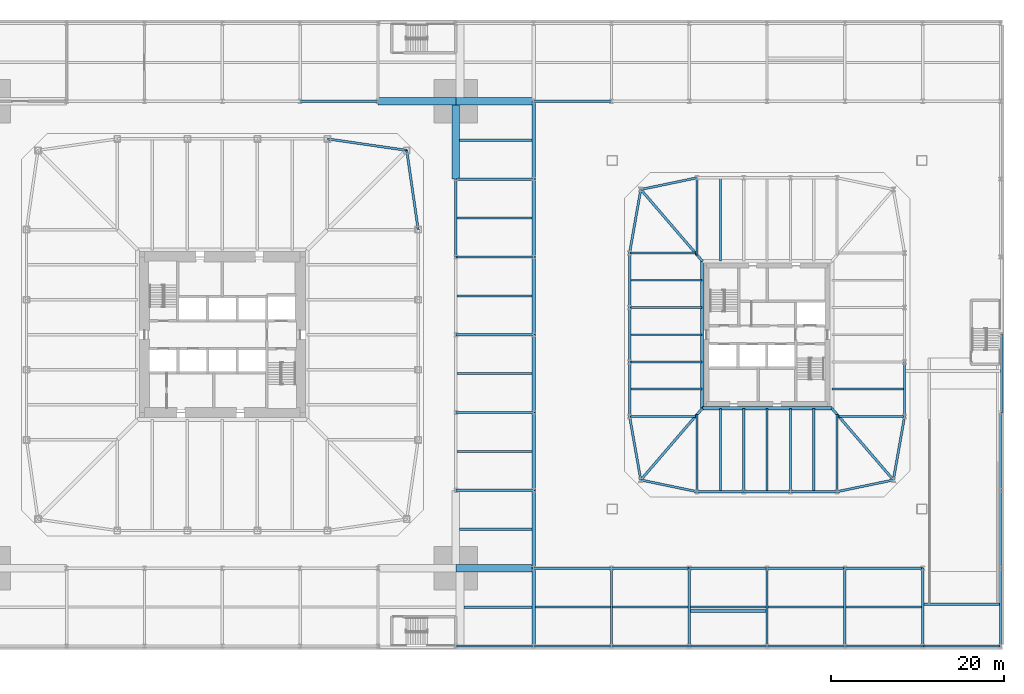
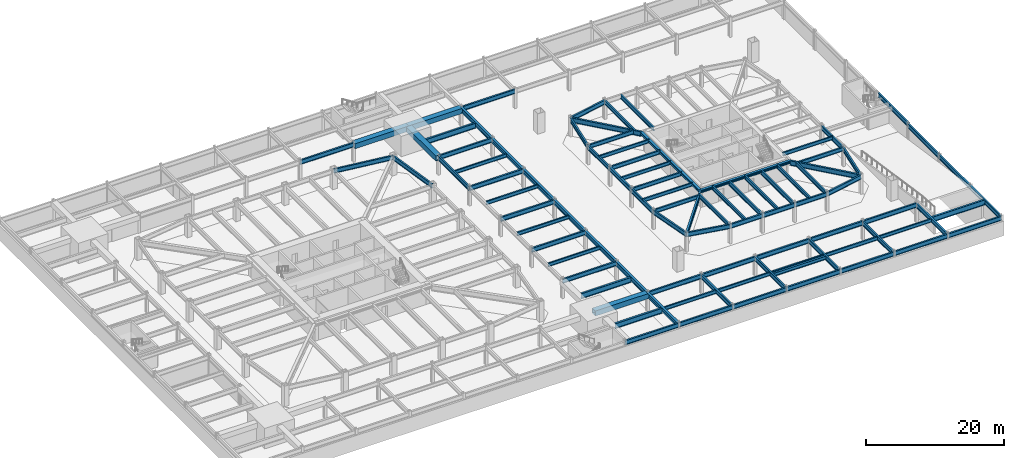
# One storey, part 7 of 17: 92 beams.
"""IFC4 building model written with IfcOpenShell, lengths in metres."""

from ifc_helpers import new_model, si_unit, direction, frame, origin, origin_2d, place, context, subcontext, project, spatial, hollow_rectangle, i_section, extrude, material, material_profile, profile_set, type_object, element, save


model = new_model("IFC4")

# Units and contexts
model_context = context("Model", 3, precision=1e-05, world=origin(), true_north=direction((0.0, 1.0)))
body_context = subcontext(model_context, "Body", "Model", "MODEL_VIEW")
ifc_project = project(units=[si_unit("LENGTHUNIT", "METRE"), si_unit("AREAUNIT", "SQUARE_METRE"), si_unit("VOLUMEUNIT", "CUBIC_METRE"), si_unit("PLANEANGLEUNIT", "RADIAN"), si_unit("MASSUNIT", "GRAM", prefix="KILO")], contexts=[model_context])

# Site, building, storey
site_placement = place(None, origin())
site = spatial("IfcSite", under=ifc_project, at=site_placement, CompositionType="ELEMENT")
building_placement = place(site_placement, origin())
building = spatial("IfcBuilding", under=site, at=building_placement, Name="Iwan Alto Co-Living Towers", CompositionType="ELEMENT")
storey_placement = place(building_placement, frame((0.0, 0.0, -3.60009765625)))
storey = spatial("IfcBuildingStorey", under=building, at=storey_placement, Name="B1", CompositionType="ELEMENT", Elevation=-3.60009765625)

# Beams
ifc_material_1 = material(Name="Steel ASTM A992 Gr 50", Category="steel")
ifc_material_profile_1 = material_profile(ifc_material_1, i_section(OverallWidth=0.2666015625, OverallDepth=0.76953125, WebThickness=0.015625, FlangeThickness=0.025390625, at=origin_2d()), Name="W30X132")
ifc_profile_set_1 = profile_set([ifc_material_profile_1], Name="Steel ASTM A992 Gr 50")
beam_type_1 = type_object("IfcBeamType", Name="PODIUM GROUND FLOOR BEAM W30X132", PredefinedType="BEAM", material=ifc_profile_set_1)
for number, where, z_axis, x_axis, name in (
    (1, (9.0, 27.0, 2.96533203125), (1.0, 0.0, 0.0), (0.0, 1.0, 0.0), "Podium beam 6/H-7/H L00"),
    (2, (27.0, -36.0, 2.96533203125), (1.0, 0.0, 0.0), (0.0, 1.0, 0.0), "Podium beam 8/A-9/A L00"),
    (3, (27.0, -18.0, 2.96533203125), (1.0, 0.0, 0.0), (0.0, 1.0, 0.0), "Podium beam 8/C-9/C L00"),
    (4, (27.0, -9.0, 2.96533203125), (1.0, 0.0, 0.0), (0.0, 1.0, 0.0), "Podium beam 8/D-9/D L00"),
    (5, (27.0, 0.0, 2.96533203125), (1.0, 0.0, 0.0), (0.0, 1.0, 0.0), "Podium beam 8/E-9/E L00"),
    (6, (27.0, 9.0, 2.96533203125), (1.0, 0.0, 0.0), (0.0, 1.0, 0.0), "Podium beam 8/F-9/F L00"),
    (7, (27.0, 9.0, 2.96533203125), (0.0, 1.0, 0.0), (-1.0, 0.0, 0.0), "Podium beam 8/F-8/G L00"),
    (8, (27.0, 18.0, 2.96533203125), (1.0, 0.0, 0.0), (0.0, 1.0, 0.0), "Podium beam 8/G-9/G L00"),
    (9, (36.0, -36.0, 2.96533203125), (1.0, 0.0, 0.0), (0.0, 1.0, 0.0), "Podium beam 9/A-10/A L00"),
    (10, (36.0, -27.0, 2.96533203125), (1.0, 0.0, 0.0), (0.0, 1.0, 0.0), "Podium beam 9/B-10/B L00"),
    (11, (36.0, 27.0, 2.96533203125), (1.0, 0.0, 0.0), (0.0, 1.0, 0.0), "Podium beam 9/H-10/H L00"),
    (12, (45.0, -36.0, 2.96533203125), (1.0, 0.0, 0.0), (0.0, 1.0, 0.0), "Podium beam 10/A-11/A L00"),
    (13, (45.0, -36.0, 2.96533203125), (0.0, 1.0, 0.0), (-1.0, 0.0, 0.0), "Podium beam 10/A-10/B L00"),
    (14, (45.0, -27.0, 2.96533203125), (1.0, 0.0, 0.0), (0.0, 1.0, 0.0), "Podium beam 10/B-11/B L00"),
    (15, (54.0, -36.0, 2.96533203125), (1.0, 0.0, 0.0), (0.0, 1.0, 0.0), "Podium beam 11/A-12/A L00"),
    (16, (54.0, -36.0, 2.96533203125), (0.0, 1.0, 0.0), (-1.0, 0.0, 0.0), "Podium beam 11/A-11/B L00"),
    (17, (54.0, -27.0, 2.96533203125), (1.0, 0.0, 0.0), (0.0, 1.0, 0.0), "Podium beam 11/B-12/B L00"),
    (18, (63.0, -36.0, 2.96533203125), (1.0, 0.0, 0.0), (0.0, 1.0, 0.0), "Podium beam 12/A-13/A L00"),
    (19, (63.0, -36.0, 2.96533203125), (0.0, 1.0, 0.0), (-1.0, 0.0, 0.0), "Podium beam 12/A-12/B L00"),
    (20, (63.0, -27.0, 2.96533203125), (1.0, 0.0, 0.0), (0.0, 1.0, 0.0), "Podium beam 12/B-13/B L00"),
    (21, (72.0, -36.0, 2.96533203125), (1.0, 0.0, 0.0), (0.0, 1.0, 0.0), "Podium beam 13/A-14/A L00"),
    (22, (72.0, -36.0, 2.96533203125), (0.0, 1.0, 0.0), (-1.0, 0.0, 0.0), "Podium beam 13/A-13/B L00"),
    (23, (72.0, -27.0, 2.96533203125), (1.0, 0.0, 0.0), (0.0, 1.0, 0.0), "Podium beam 13/B-14/B L00"),
    (24, (81.0, -36.0, 2.96533203125), (1.0, 0.0, 0.0), (0.0, 1.0, 0.0), "Podium beam 14/A-15/A L00"),
    (25, (81.0, -36.0, 2.96533203125), (0.0, 1.0, 0.0), (-1.0, 0.0, 0.0), "Podium beam 14/A-14/B L00"),
    (26, (90.0, -36.0, 2.96533203125), (0.0, 1.0, 0.0), (-1.0, 0.0, 0.0), "Podium beam 15/A-15/B L00"),
    (27, (90.0, -27.0, 2.96533203125), (0.0, 1.0, 0.0), (-1.0, 0.0, 0.0), "Podium beam 15/B-15/C L00"),
    (28, (90.0, -18.0, 2.96533203125), (0.0, 1.0, 0.0), (-1.0, 0.0, 0.0), "Podium beam 15/C-15/D L00"),
    (29, (90.1533203125, -9.0, 2.96533203125), (0.0, 1.0, 0.0), (-1.0, 0.0, 0.0), "Podium beam 15/D-15/E L00"),
):
    element("IfcBeam", number, at=place(storey_placement, frame(where, z_axis=z_axis, x_axis=x_axis)), inside=storey, type_object=beam_type_1, Name=name, PredefinedType="BEAM", context=body_context, shape_type="SweptSolid", body=[
        extrude(i_section(OverallWidth=0.2666015625, OverallDepth=0.76953125, WebThickness=0.015625, FlangeThickness=0.025390625, at=origin_2d()), origin(), (0.0, 0.0, 1.0), 9.0),
    ])
ifc_material_2 = material(Name="Steel ASTM A992 Gr 50", Category="steel")
ifc_material_profile_2 = material_profile(ifc_material_2, i_section(OverallWidth=0.381103515625, OverallDepth=0.772216796875, WebThickness=0.0166015625, FlangeThickness=0.027099609375, at=origin_2d()), Name="W30X173")
ifc_profile_set_2 = profile_set([ifc_material_profile_2], Name="Steel ASTM A992 Gr 50")
beam_type_2 = type_object("IfcBeamType", Name="PODIUM JOINT BEAM W30X173", PredefinedType="BEAM", material=ifc_profile_set_2)
for number, where, z_axis, x_axis, name in (
    (30, (36.0, -36.0, 2.964111328125), (0.0, 1.0, 0.0), (-1.0, 0.0, 0.0), "Podium beam 9/A-9/B L00"),
    (31, (36.0, -27.0, 2.964111328125), (0.0, 1.0, 0.0), (-1.0, 0.0, 0.0), "Podium beam 9/B-9/C L00"),
    (32, (36.0, -18.0, 2.964111328125), (0.0, 1.0, 0.0), (-1.0, 0.0, 0.0), "Podium beam 9/C-9/D L00"),
    (33, (36.0, -9.0, 2.964111328125), (0.0, 1.0, 0.0), (-1.0, 0.0, 0.0), "Podium beam 9/D-9/E L00"),
    (34, (36.0, 0.0, 2.964111328125), (0.0, 1.0, 0.0), (-1.0, 0.0, 0.0), "Podium beam 9/E-9/F L00"),
    (35, (36.0, 9.0, 2.964111328125), (0.0, 1.0, 0.0), (-1.0, 0.0, 0.0), "Podium beam 9/F-9/G L00"),
    (36, (36.0, 18.0, 2.964111328125), (0.0, 1.0, 0.0), (-1.0, 0.0, 0.0), "Podium beam 9/G-9/H L00"),
):
    element("IfcBeam", number, at=place(storey_placement, frame(where, z_axis=z_axis, x_axis=x_axis)), inside=storey, type_object=beam_type_2, Name=name, PredefinedType="BEAM", context=body_context, shape_type="SweptSolid", body=[
        extrude(i_section(OverallWidth=0.381103515625, OverallDepth=0.772216796875, WebThickness=0.0166015625, FlangeThickness=0.027099609375, at=origin_2d()), origin(), (0.0, 0.0, 1.0), 9.0),
    ])
ifc_material_3 = material(Name="Steel ASTM A992 Gr 50", Category="steel")
ifc_material_profile_3 = material_profile(ifc_material_3, i_section(OverallWidth=0.307373046875, OverallDepth=0.927001953125, WebThickness=0.01953125, FlangeThickness=0.031982421875, at=origin_2d()), Name="W36X194")
ifc_profile_set_3 = profile_set([ifc_material_profile_3], Name="Steel ASTM A992 Gr 50")
beam_type_3 = type_object("IfcBeamType", Name="PODIUM PIER BAY SECONDARY BEAM W36X194", PredefinedType="JOIST", material=ifc_profile_set_3)
beam_1_placement = place(storey_placement, frame((27.919921875, -31.5, 2.886474609375), z_axis=(1.0, 0.0, 0.0), x_axis=(0.0, 1.0, 0.0)))
element("IfcBeam", 37, at=beam_1_placement, inside=storey, type_object=beam_type_3, Name="Podium secondary beam 8/A L00", PredefinedType="JOIST", context=body_context, shape_type="SweptSolid", body=[
    extrude(i_section(OverallWidth=0.307373046875, OverallDepth=0.927001953125, WebThickness=0.01953125, FlangeThickness=0.031982421875, at=origin_2d()), origin(), (0.0, 0.0, 1.0), 7.8896484375),
])
for number, where, z_axis, x_axis, name in (
    (38, (27.449951171875, -22.5, 2.886474609375), (1.0, 0.0, 0.0), (0.0, 1.0, 0.0), "Podium secondary beam 8/B L00"),
    (39, (27.449951171875, 22.5, 2.886474609375), (1.0, 0.0, 0.0), (0.0, 1.0, 0.0), "Podium secondary beam 8/G L00"),
):
    element("IfcBeam", number, at=place(storey_placement, frame(where, z_axis=z_axis, x_axis=x_axis)), inside=storey, type_object=beam_type_3, Name=name, PredefinedType="JOIST", context=body_context, shape_type="SweptSolid", body=[
        extrude(i_section(OverallWidth=0.307373046875, OverallDepth=0.927001953125, WebThickness=0.01953125, FlangeThickness=0.031982421875, at=origin_2d()), origin(), (0.0, 0.0, 1.0), 8.359619140625),
    ])
ifc_material_4 = material(Name="Steel ASTM A572 Gr 50", Category="steel")
ifc_material_profile_4 = material_profile(ifc_material_4, hollow_rectangle(XDim=0.89990234375, YDim=0.89990234375, WallThickness=0.06005859375, at=origin_2d()), Name="BOX 900X900X60")
ifc_profile_set_4 = profile_set([ifc_material_profile_4], Name="Steel ASTM A572 Gr 50")
beam_type_4 = type_object("IfcBeamType", Name="PODIUM PIER BEAM BOX 900X900X60", PredefinedType="BEAM", material=ifc_profile_set_4)
for number, where, z_axis, x_axis, name in (
    (40, (18.0, 27.0, 2.900146484375), (1.0, 0.0, 0.0), (0.0, 1.0, 0.0), "Podium beam 7/H-8/H L00"),
    (41, (27.0, -27.0, 2.900146484375), (1.0, 0.0, 0.0), (0.0, 1.0, 0.0), "Podium beam 8/B-9/B L00"),
    (42, (27.0, 18.0, 2.900146484375), (0.0, 1.0, 0.0), (-1.0, 0.0, 0.0), "Podium beam 8/G-8/H L00"),
    (43, (27.0, 27.0, 2.900146484375), (1.0, 0.0, 0.0), (0.0, 1.0, 0.0), "Podium beam 8/H-9/H L00"),
):
    element("IfcBeam", number, at=place(storey_placement, frame(where, z_axis=z_axis, x_axis=x_axis)), inside=storey, type_object=beam_type_4, Name=name, PredefinedType="BEAM", context=body_context, shape_type="SweptSolid", body=[
        extrude(hollow_rectangle(XDim=0.89990234375, YDim=0.89990234375, WallThickness=0.06005859375, at=origin_2d()), origin(), (0.0, 0.0, 1.0), 9.0),
    ])
ifc_material_5 = material(Name="Steel ASTM A992 Gr 50", Category="steel")
ifc_material_profile_5 = material_profile(ifc_material_5, i_section(OverallWidth=0.307373046875, OverallDepth=0.927001953125, WebThickness=0.01953125, FlangeThickness=0.031982421875, at=origin_2d()), Name="W36X194")
ifc_profile_set_5 = profile_set([ifc_material_profile_5], Name="Steel ASTM A992 Gr 50")
beam_type_5 = type_object("IfcBeamType", Name="PODIUM RAMP HEADER BEAM W36X194", PredefinedType="BEAM", material=ifc_profile_set_5)
beam_2_placement = place(storey_placement, frame((81.0, -31.173583984375, 2.886474609375), z_axis=(1.0, 0.0, 0.0), x_axis=(0.0, 1.0, 0.0)))
element("IfcBeam", 44, at=beam_2_placement, inside=storey, type_object=beam_type_5, Name="Podium ramp header L00", PredefinedType="BEAM", context=body_context, shape_type="SweptSolid", body=[
    extrude(i_section(OverallWidth=0.307373046875, OverallDepth=0.927001953125, WebThickness=0.01953125, FlangeThickness=0.031982421875, at=origin_2d()), origin(), (0.0, 0.0, 1.0), 9.0),
])
ifc_material_6 = material(Name="Steel ASTM A992 Gr 50", Category="steel")
ifc_material_profile_6 = material_profile(ifc_material_6, i_section(OverallWidth=0.23046875, OverallDepth=0.6171875, WebThickness=0.01318359375, FlangeThickness=0.022216796875, at=origin_2d()), Name="W24X94")
ifc_profile_set_6 = profile_set([ifc_material_profile_6], Name="Steel ASTM A992 Gr 50")
beam_type_6 = type_object("IfcBeamType", Name="PODIUM SECONDARY BEAM W24X94", PredefinedType="JOIST", material=ifc_profile_set_6)
for number, where, z_axis, x_axis, name in (
    (45, (27.13330078125, -13.5, 3.04150390625), (1.0, 0.0, 0.0), (0.0, 1.0, 0.0), "Podium secondary beam 8/C L00"),
    (46, (27.13330078125, -4.5, 3.04150390625), (1.0, 0.0, 0.0), (0.0, 1.0, 0.0), "Podium secondary beam 8/D L00"),
    (47, (27.13330078125, 4.5, 3.04150390625), (1.0, 0.0, 0.0), (0.0, 1.0, 0.0), "Podium secondary beam 8/E L00"),
    (48, (27.13330078125, 13.5, 3.04150390625), (1.0, 0.0, 0.0), (0.0, 1.0, 0.0), "Podium secondary beam 8/F L00"),
    (49, (36.1904296875, -31.5, 3.04150390625), (1.0, 0.0, 0.0), (0.0, 1.0, 0.0), "Podium secondary beam 9/A L00"),
):
    element("IfcBeam", number, at=place(storey_placement, frame(where, z_axis=z_axis, x_axis=x_axis)), inside=storey, type_object=beam_type_6, Name=name, PredefinedType="JOIST", context=body_context, shape_type="SweptSolid", body=[
        extrude(i_section(OverallWidth=0.23046875, OverallDepth=0.6171875, WebThickness=0.01318359375, FlangeThickness=0.022216796875, at=origin_2d()), origin(), (0.0, 0.0, 1.0), 8.67626953125),
    ])
for number, where, z_axis, x_axis, name in (
    (50, (45.13330078125, -31.5, 3.04150390625), (1.0, 0.0, 0.0), (0.0, 1.0, 0.0), "Podium secondary beam 10/A L00"),
    (51, (54.13330078125, -31.5, 3.04150390625), (1.0, 0.0, 0.0), (0.0, 1.0, 0.0), "Podium secondary beam 11/A L00"),
    (52, (63.13330078125, -31.5, 3.04150390625), (1.0, 0.0, 0.0), (0.0, 1.0, 0.0), "Podium secondary beam 12/A L00"),
    (53, (72.13330078125, -31.5, 3.04150390625), (1.0, 0.0, 0.0), (0.0, 1.0, 0.0), "Podium secondary beam 13/A L00"),
):
    element("IfcBeam", number, at=place(storey_placement, frame(where, z_axis=z_axis, x_axis=x_axis)), inside=storey, type_object=beam_type_6, Name=name, PredefinedType="JOIST", context=body_context, shape_type="SweptSolid", body=[
        extrude(i_section(OverallWidth=0.23046875, OverallDepth=0.6171875, WebThickness=0.01318359375, FlangeThickness=0.022216796875, at=origin_2d()), origin(), (0.0, 0.0, 1.0), 8.7333984375),
    ])
ifc_material_7 = material(Name="Steel ASTM A992 Gr 50", Category="steel")
ifc_material_profile_7 = material_profile(ifc_material_7, i_section(OverallWidth=0.2666015625, OverallDepth=0.761962890625, WebThickness=0.014404296875, FlangeThickness=0.021484375, at=origin_2d()), Name="W30X116")
ifc_profile_set_7 = profile_set([ifc_material_profile_7], Name="Steel ASTM A992 Gr 50")
beam_type_7 = type_object("IfcBeamType", Name="T1 EDGE BEAM W30X116", PredefinedType="BEAM", material=ifc_profile_set_7)
for number, where, z_axis, x_axis, name in (
    (54, (22.64990234375, 12.14990234375, 2.968994140625), (-0.142836940589, 0.989746234347, 0.0), (-0.989746234347, -0.142836940589, 0.0), "T1 edge beam E4 L00"),
    (55, (21.32568359375, 21.32568359375, 2.968994140625), (-0.989746234347, 0.142836940589, 0.0), (-0.142836940589, -0.989746234347, 0.0), "T1 edge beam CNE L00"),
):
    element("IfcBeam", number, at=place(storey_placement, frame(where, z_axis=z_axis, x_axis=x_axis)), inside=storey, type_object=beam_type_7, Name=name, PredefinedType="BEAM", context=body_context, shape_type="SweptSolid", body=[
        extrude(i_section(OverallWidth=0.2666015625, OverallDepth=0.761962890625, WebThickness=0.014404296875, FlangeThickness=0.021484375, at=origin_2d()), origin(), (0.0, 0.0, 1.0), 9.270751953125),
    ])
ifc_material_8 = material(Name="Steel ASTM A992 Gr 50", Category="steel")
ifc_material_profile_8 = material_profile(ifc_material_8, i_section(OverallWidth=0.424072265625, OverallDepth=0.47509765625, WebThickness=0.0478515625, FlangeThickness=0.0771484375, at=origin_2d()), Name="W14X426")
ifc_profile_set_8 = profile_set([ifc_material_profile_8], Name="Steel ASTM A992 Gr 50")
beam_type_8 = type_object("IfcBeamType", Name="T2 CORE LEDGER BEAM W14X426", PredefinedType="BEAM", material=ifc_profile_set_8)
beam_3_placement = place(storey_placement, frame((55.517578125, -8.51220703125, 3.112548828125), z_axis=(1.0, 0.0, 0.0), x_axis=(0.0, 1.0, 0.0)))
element("IfcBeam", 56, at=beam_3_placement, inside=storey, type_object=beam_type_8, Name="T2 core ledger beam S L00", PredefinedType="BEAM", context=body_context, shape_type="SweptSolid", body=[
    extrude(i_section(OverallWidth=0.424072265625, OverallDepth=0.47509765625, WebThickness=0.0478515625, FlangeThickness=0.0771484375, at=origin_2d()), origin(), (0.0, 0.0, 1.0), 14.96484375),
])
beam_4_placement = place(storey_placement, frame((55.48779296875, 8.546630859375, 3.112548828125), z_axis=(0.0, -1.0, 0.0), x_axis=(1.0, 0.0, 0.0)))
element("IfcBeam", 57, at=beam_4_placement, inside=storey, type_object=beam_type_8, Name="T2 core ledger beam W L00", PredefinedType="BEAM", context=body_context, shape_type="SweptSolid", body=[
    extrude(i_section(OverallWidth=0.424072265625, OverallDepth=0.47509765625, WebThickness=0.0478515625, FlangeThickness=0.0771484375, at=origin_2d()), origin(), (0.0, 0.0, 1.0), 17.09326171875),
])
ifc_material_9 = material(Name="Steel ASTM A992 Gr 50", Category="steel")
ifc_material_profile_9 = material_profile(ifc_material_9, i_section(OverallWidth=0.2919921875, OverallDepth=0.8408203125, WebThickness=0.0146484375, FlangeThickness=0.021728515625, at=origin_2d()), Name="W33X130")
ifc_profile_set_9 = profile_set([ifc_material_profile_9], Name="Steel ASTM A992 Gr 50")
beam_type_9 = type_object("IfcBeamType", Name="T2 CORNER GIRDER W33X130", PredefinedType="BEAM", material=ifc_profile_set_9)
for number, where, z_axis, x_axis, name in (
    (58, (48.393798828125, -16.797119140625, 2.9296875), (0.651973760483, 0.758241528565, 0.0), (-0.758241528565, 0.651973760483, 0.0), "T2 corner girder CSW L00"),
    (59, (77.606201171875, -16.797119140625, 2.9296875), (-0.651973760483, 0.758241528565, 0.0), (-0.758241528565, -0.651973760483, 0.0), "T2 corner girder CSE L00"),
    (60, (48.393798828125, 16.797119140625, 2.9296875), (0.651973760483, -0.758241528565, 0.0), (0.758241528565, 0.651973760483, 0.0), "T2 corner girder CNW L00"),
):
    element("IfcBeam", number, at=place(storey_placement, frame(where, z_axis=z_axis, x_axis=x_axis)), inside=storey, type_object=beam_type_9, Name=name, PredefinedType="BEAM", context=body_context, shape_type="SweptSolid", body=[
        extrude(i_section(OverallWidth=0.2919921875, OverallDepth=0.8408203125, WebThickness=0.0146484375, FlangeThickness=0.021728515625, at=origin_2d()), origin(), (0.0, 0.0, 1.0), 10.926513671875),
    ])
ifc_material_10 = material(Name="Steel ASTM A992 Gr 50", Category="steel")
ifc_material_profile_10 = material_profile(ifc_material_10, i_section(OverallWidth=0.2666015625, OverallDepth=0.761962890625, WebThickness=0.014404296875, FlangeThickness=0.021484375, at=origin_2d()), Name="W30X116")
ifc_profile_set_10 = profile_set([ifc_material_profile_10], Name="Steel ASTM A992 Gr 50")
beam_type_10 = type_object("IfcBeamType", Name="T2 EDGE BEAM W30X116", PredefinedType="BEAM", material=ifc_profile_set_10)
beam_5_placement = place(storey_placement, frame((48.393798828125, -16.797119140625, 2.968994140625), z_axis=(0.979060119423, -0.203571320564, 0.0), x_axis=(0.203571320564, 0.979060119423, 0.0)))
element("IfcBeam", 61, at=beam_5_placement, inside=storey, type_object=beam_type_10, Name="T2 edge beam CSW L00", PredefinedType="BEAM", context=body_context, shape_type="SweptSolid", body=[
    extrude(i_section(OverallWidth=0.2666015625, OverallDepth=0.761962890625, WebThickness=0.014404296875, FlangeThickness=0.021484375, at=origin_2d()), origin(), (0.0, 0.0, 1.0), 6.645263671875),
])
beam_6_placement = place(storey_placement, frame((54.89990234375, -18.14990234375, 2.968994140625), z_axis=(1.0, 0.0, 0.0), x_axis=(0.0, 1.0, 0.0)))
element("IfcBeam", 62, at=beam_6_placement, inside=storey, type_object=beam_type_10, Name="T2 edge beam S1 L00", PredefinedType="BEAM", context=body_context, shape_type="SweptSolid", body=[
    extrude(i_section(OverallWidth=0.2666015625, OverallDepth=0.761962890625, WebThickness=0.014404296875, FlangeThickness=0.021484375, at=origin_2d()), origin(), (0.0, 0.0, 1.0), 5.400146484375),
])
beam_7_placement = place(storey_placement, frame((60.300048828125, -18.14990234375, 2.968994140625), z_axis=(1.0, 0.0, 0.0), x_axis=(0.0, 1.0, 0.0)))
element("IfcBeam", 63, at=beam_7_placement, inside=storey, type_object=beam_type_10, Name="T2 edge beam S2 L00", PredefinedType="BEAM", context=body_context, shape_type="SweptSolid", body=[
    extrude(i_section(OverallWidth=0.2666015625, OverallDepth=0.761962890625, WebThickness=0.014404296875, FlangeThickness=0.021484375, at=origin_2d()), origin(), (0.0, 0.0, 1.0), 5.39990234375),
])
beam_8_placement = place(storey_placement, frame((65.699951171875, -18.14990234375, 2.968994140625), z_axis=(1.0, 0.0, 0.0), x_axis=(0.0, 1.0, 0.0)))
element("IfcBeam", 64, at=beam_8_placement, inside=storey, type_object=beam_type_10, Name="T2 edge beam S3 L00", PredefinedType="BEAM", context=body_context, shape_type="SweptSolid", body=[
    extrude(i_section(OverallWidth=0.2666015625, OverallDepth=0.761962890625, WebThickness=0.014404296875, FlangeThickness=0.021484375, at=origin_2d()), origin(), (0.0, 0.0, 1.0), 5.400146484375),
])
beam_9_placement = place(storey_placement, frame((71.10009765625, -18.14990234375, 2.968994140625), z_axis=(0.979060119423, 0.203571320564, 0.0), x_axis=(-0.203571320564, 0.979060119423, 0.0)))
element("IfcBeam", 65, at=beam_9_placement, inside=storey, type_object=beam_type_10, Name="T2 edge beam S4 L00", PredefinedType="BEAM", context=body_context, shape_type="SweptSolid", body=[
    extrude(i_section(OverallWidth=0.2666015625, OverallDepth=0.761962890625, WebThickness=0.014404296875, FlangeThickness=0.021484375, at=origin_2d()), origin(), (0.0, 0.0, 1.0), 6.645263671875),
])
beam_10_placement = place(storey_placement, frame((77.606201171875, -16.797119140625, 2.968994140625), z_axis=(0.173413807283, 0.98484905008, 0.0), x_axis=(-0.98484905008, 0.173413807283, 0.0)))
element("IfcBeam", 66, at=beam_10_placement, inside=storey, type_object=beam_type_10, Name="T2 edge beam CSE L00", PredefinedType="BEAM", context=body_context, shape_type="SweptSolid", body=[
    extrude(i_section(OverallWidth=0.2666015625, OverallDepth=0.761962890625, WebThickness=0.014404296875, FlangeThickness=0.021484375, at=origin_2d()), origin(), (0.0, 0.0, 1.0), 7.460205078125),
])
beam_11_placement = place(storey_placement, frame((78.89990234375, -9.449951171875, 2.968994140625), z_axis=(0.0, 1.0, 0.0), x_axis=(-1.0, 0.0, 0.0)))
element("IfcBeam", 67, at=beam_11_placement, inside=storey, type_object=beam_type_10, Name="T2 edge beam E1 L00", PredefinedType="BEAM", context=body_context, shape_type="SweptSolid", body=[
    extrude(i_section(OverallWidth=0.2666015625, OverallDepth=0.761962890625, WebThickness=0.014404296875, FlangeThickness=0.021484375, at=origin_2d()), origin(), (0.0, 0.0, 1.0), 6.300048828125),
])
beam_12_placement = place(storey_placement, frame((54.89990234375, 18.14990234375, 2.968994140625), z_axis=(-0.979060119423, -0.203571320564, 0.0), x_axis=(0.203571320564, -0.979060119423, 0.0)))
element("IfcBeam", 68, at=beam_12_placement, inside=storey, type_object=beam_type_10, Name="T2 edge beam N4 L00", PredefinedType="BEAM", context=body_context, shape_type="SweptSolid", body=[
    extrude(i_section(OverallWidth=0.2666015625, OverallDepth=0.761962890625, WebThickness=0.014404296875, FlangeThickness=0.021484375, at=origin_2d()), origin(), (0.0, 0.0, 1.0), 6.645263671875),
])
beam_13_placement = place(storey_placement, frame((48.393798828125, 16.797119140625, 2.968994140625), z_axis=(-0.173413807283, -0.98484905008, 0.0), x_axis=(0.98484905008, -0.173413807283, 0.0)))
element("IfcBeam", 69, at=beam_13_placement, inside=storey, type_object=beam_type_10, Name="T2 edge beam CNW L00", PredefinedType="BEAM", context=body_context, shape_type="SweptSolid", body=[
    extrude(i_section(OverallWidth=0.2666015625, OverallDepth=0.761962890625, WebThickness=0.014404296875, FlangeThickness=0.021484375, at=origin_2d()), origin(), (0.0, 0.0, 1.0), 7.460205078125),
])
beam_14_placement = place(storey_placement, frame((47.10009765625, 9.449951171875, 2.968994140625), z_axis=(0.0, -1.0, 0.0), x_axis=(1.0, 0.0, 0.0)))
element("IfcBeam", 70, at=beam_14_placement, inside=storey, type_object=beam_type_10, Name="T2 edge beam W1 L00", PredefinedType="BEAM", context=body_context, shape_type="SweptSolid", body=[
    extrude(i_section(OverallWidth=0.2666015625, OverallDepth=0.761962890625, WebThickness=0.014404296875, FlangeThickness=0.021484375, at=origin_2d()), origin(), (0.0, 0.0, 1.0), 6.300048828125),
])
beam_15_placement = place(storey_placement, frame((47.10009765625, 3.14990234375, 2.968994140625), z_axis=(0.0, -1.0, 0.0), x_axis=(1.0, 0.0, 0.0)))
element("IfcBeam", 71, at=beam_15_placement, inside=storey, type_object=beam_type_10, Name="T2 edge beam W2 L00", PredefinedType="BEAM", context=body_context, shape_type="SweptSolid", body=[
    extrude(i_section(OverallWidth=0.2666015625, OverallDepth=0.761962890625, WebThickness=0.014404296875, FlangeThickness=0.021484375, at=origin_2d()), origin(), (0.0, 0.0, 1.0), 6.2998046875),
])
beam_16_placement = place(storey_placement, frame((47.10009765625, -3.14990234375, 2.968994140625), z_axis=(0.0, -1.0, 0.0), x_axis=(1.0, 0.0, 0.0)))
element("IfcBeam", 72, at=beam_16_placement, inside=storey, type_object=beam_type_10, Name="T2 edge beam W3 L00", PredefinedType="BEAM", context=body_context, shape_type="SweptSolid", body=[
    extrude(i_section(OverallWidth=0.2666015625, OverallDepth=0.761962890625, WebThickness=0.014404296875, FlangeThickness=0.021484375, at=origin_2d()), origin(), (0.0, 0.0, 1.0), 6.300048828125),
])
beam_17_placement = place(storey_placement, frame((47.10009765625, -9.449951171875, 2.968994140625), z_axis=(0.173413807283, -0.98484905008, 0.0), x_axis=(0.98484905008, 0.173413807283, 0.0)))
element("IfcBeam", 73, at=beam_17_placement, inside=storey, type_object=beam_type_10, Name="T2 edge beam W4 L00", PredefinedType="BEAM", context=body_context, shape_type="SweptSolid", body=[
    extrude(i_section(OverallWidth=0.2666015625, OverallDepth=0.761962890625, WebThickness=0.014404296875, FlangeThickness=0.021484375, at=origin_2d()), origin(), (0.0, 0.0, 1.0), 7.460205078125),
])
ifc_material_11 = material(Name="Steel ASTM A992 Gr 50", Category="steel")
ifc_material_profile_11 = material_profile(ifc_material_11, i_section(OverallWidth=0.25390625, OverallDepth=0.683349609375, WebThickness=0.012451171875, FlangeThickness=0.018798828125, at=origin_2d()), Name="W27X94")
ifc_profile_set_11 = profile_set([ifc_material_profile_11], Name="Steel ASTM A992 Gr 50")
beam_type_11 = type_object("IfcBeamType", Name="T2 RADIAL BEAM W27X94", PredefinedType="BEAM", material=ifc_profile_set_11)
for number, where, z_axis, x_axis, name in (
    (74, (54.89990234375, -18.14990234375, 3.008544921875), (0.0, 1.0, 0.0), (-1.0, 0.0, 0.0), "T2 radial beam S1 L00"),
    (75, (71.10009765625, -18.14990234375, 3.008544921875), (0.0, 1.0, 0.0), (-1.0, 0.0, 0.0), "T2 radial beam S4 L00"),
):
    element("IfcBeam", number, at=place(storey_placement, frame(where, z_axis=z_axis, x_axis=x_axis)), inside=storey, type_object=beam_type_11, Name=name, PredefinedType="BEAM", context=body_context, shape_type="SweptSolid", body=[
        extrude(i_section(OverallWidth=0.25390625, OverallDepth=0.683349609375, WebThickness=0.012451171875, FlangeThickness=0.018798828125, at=origin_2d()), origin(), (0.0, 0.0, 1.0), 8.91943359375),
    ])
beam_18_placement = place(storey_placement, frame((78.89990234375, -9.449951171875, 3.008544921875), z_axis=(-1.0, 0.0, 0.0), x_axis=(0.0, -1.0, 0.0)))
element("IfcBeam", 76, at=beam_18_placement, inside=storey, type_object=beam_type_11, Name="T2 radial beam E1 L00", PredefinedType="BEAM", context=body_context, shape_type="SweptSolid", body=[
    extrude(i_section(OverallWidth=0.25390625, OverallDepth=0.683349609375, WebThickness=0.012451171875, FlangeThickness=0.018798828125, at=origin_2d()), origin(), (0.0, 0.0, 1.0), 7.611083984375),
])
beam_19_placement = place(storey_placement, frame((54.89990234375, 18.14990234375, 3.008544921875), z_axis=(0.0, -1.0, 0.0), x_axis=(1.0, 0.0, 0.0)))
element("IfcBeam", 77, at=beam_19_placement, inside=storey, type_object=beam_type_11, Name="T2 radial beam N4 L00", PredefinedType="BEAM", context=body_context, shape_type="SweptSolid", body=[
    extrude(i_section(OverallWidth=0.25390625, OverallDepth=0.683349609375, WebThickness=0.012451171875, FlangeThickness=0.018798828125, at=origin_2d()), origin(), (0.0, 0.0, 1.0), 8.91943359375),
])
beam_20_placement = place(storey_placement, frame((47.10009765625, 9.449951171875, 3.008544921875), z_axis=(1.0, 0.0, 0.0), x_axis=(0.0, 1.0, 0.0)))
element("IfcBeam", 78, at=beam_20_placement, inside=storey, type_object=beam_type_11, Name="T2 radial beam W1 L00", PredefinedType="BEAM", context=body_context, shape_type="SweptSolid", body=[
    extrude(i_section(OverallWidth=0.25390625, OverallDepth=0.683349609375, WebThickness=0.012451171875, FlangeThickness=0.018798828125, at=origin_2d()), origin(), (0.0, 0.0, 1.0), 7.611083984375),
])
for number, where, z_axis, x_axis, name in (
    (79, (47.10009765625, 3.14990234375, 3.008544921875), (1.0, 0.0, 0.0), (0.0, 1.0, 0.0), "T2 radial beam W2 L00"),
    (80, (47.10009765625, -3.14990234375, 3.008544921875), (1.0, 0.0, 0.0), (0.0, 1.0, 0.0), "T2 radial beam W3 L00"),
):
    element("IfcBeam", number, at=place(storey_placement, frame(where, z_axis=z_axis, x_axis=x_axis)), inside=storey, type_object=beam_type_11, Name=name, PredefinedType="BEAM", context=body_context, shape_type="SweptSolid", body=[
        extrude(i_section(OverallWidth=0.25390625, OverallDepth=0.683349609375, WebThickness=0.012451171875, FlangeThickness=0.018798828125, at=origin_2d()), origin(), (0.0, 0.0, 1.0), 8.3876953125),
    ])
beam_21_placement = place(storey_placement, frame((47.10009765625, -9.449951171875, 3.008544921875), z_axis=(1.0, 0.0, 0.0), x_axis=(0.0, 1.0, 0.0)))
element("IfcBeam", 81, at=beam_21_placement, inside=storey, type_object=beam_type_11, Name="T2 radial beam W4 L00", PredefinedType="BEAM", context=body_context, shape_type="SweptSolid", body=[
    extrude(i_section(OverallWidth=0.25390625, OverallDepth=0.683349609375, WebThickness=0.012451171875, FlangeThickness=0.018798828125, at=origin_2d()), origin(), (0.0, 0.0, 1.0), 7.611083984375),
])
ifc_material_12 = material(Name="Steel ASTM A992 Gr 50", Category="steel")
ifc_material_profile_12 = material_profile(ifc_material_12, i_section(OverallWidth=0.2666015625, OverallDepth=0.761962890625, WebThickness=0.014404296875, FlangeThickness=0.021484375, at=origin_2d()), Name="W30X116")
ifc_profile_set_12 = profile_set([ifc_material_profile_12], Name="Steel ASTM A992 Gr 50")
beam_type_12 = type_object("IfcBeamType", Name="T2 RADIAL BEAM W30X116", PredefinedType="BEAM", material=ifc_profile_set_12)
for number, where, z_axis, x_axis, name in (
    (82, (60.300048828125, -18.14990234375, 2.968994140625), (0.0, 1.0, 0.0), (-1.0, 0.0, 0.0), "T2 radial beam S2 L00"),
    (83, (65.699951171875, -18.14990234375, 2.968994140625), (0.0, 1.0, 0.0), (-1.0, 0.0, 0.0), "T2 radial beam S3 L00"),
):
    element("IfcBeam", number, at=place(storey_placement, frame(where, z_axis=z_axis, x_axis=x_axis)), inside=storey, type_object=beam_type_12, Name=name, PredefinedType="BEAM", context=body_context, shape_type="SweptSolid", body=[
        extrude(i_section(OverallWidth=0.2666015625, OverallDepth=0.761962890625, WebThickness=0.014404296875, FlangeThickness=0.021484375, at=origin_2d()), origin(), (0.0, 0.0, 1.0), 9.6376953125),
    ])
ifc_material_13 = material(Name="Steel ASTM A992 Gr 50", Category="steel")
ifc_material_profile_13 = material_profile(ifc_material_13, i_section(OverallWidth=0.228271484375, OverallDepth=0.607177734375, WebThickness=0.01123046875, FlangeThickness=0.017333984375, at=origin_2d()), Name="W24X76")
ifc_profile_set_13 = profile_set([ifc_material_profile_13], Name="Steel ASTM A992 Gr 50")
beam_type_13 = type_object("IfcBeamType", Name="T2 SECONDARY BEAM W24X76", PredefinedType="JOIST", material=ifc_profile_set_13)
for number, where, z_axis, x_axis, name in (
    (84, (78.89990234375, -6.300048828125, 3.046630859375), (-1.0, 0.0, 0.0), (0.0, -1.0, 0.0), "T2 secondary beam E1 L00"),
    (85, (47.10009765625, 6.300048828125, 3.046630859375), (1.0, 0.0, 0.0), (0.0, 1.0, 0.0), "T2 secondary beam W1 L00"),
    (86, (47.10009765625, 0.0, 3.046630859375), (1.0, 0.0, 0.0), (0.0, 1.0, 0.0), "T2 secondary beam W2 L00"),
    (87, (47.10009765625, -6.300048828125, 3.046630859375), (1.0, 0.0, 0.0), (0.0, 1.0, 0.0), "T2 secondary beam W3 L00"),
):
    element("IfcBeam", number, at=place(storey_placement, frame(where, z_axis=z_axis, x_axis=x_axis)), inside=storey, type_object=beam_type_13, Name=name, PredefinedType="JOIST", context=body_context, shape_type="SweptSolid", body=[
        extrude(i_section(OverallWidth=0.228271484375, OverallDepth=0.607177734375, WebThickness=0.01123046875, FlangeThickness=0.017333984375, at=origin_2d()), origin(), (0.0, 0.0, 1.0), 8.3876953125),
    ])
ifc_material_14 = material(Name="Steel ASTM A992 Gr 50", Category="steel")
ifc_material_profile_14 = material_profile(ifc_material_14, i_section(OverallWidth=0.25390625, OverallDepth=0.683349609375, WebThickness=0.012451171875, FlangeThickness=0.018798828125, at=origin_2d()), Name="W27X94")
ifc_profile_set_14 = profile_set([ifc_material_profile_14], Name="Steel ASTM A992 Gr 50")
beam_type_14 = type_object("IfcBeamType", Name="T2 SECONDARY BEAM W27X94", PredefinedType="JOIST", material=ifc_profile_set_14)
for number, where, z_axis, x_axis, name in (
    (88, (57.60009765625, -18.14990234375, 3.008544921875), (0.0, 1.0, 0.0), (-1.0, 0.0, 0.0), "T2 secondary beam S1 L00"),
    (89, (63.0, -18.14990234375, 3.008544921875), (0.0, 1.0, 0.0), (-1.0, 0.0, 0.0), "T2 secondary beam S2 L00"),
    (90, (68.39990234375, -18.14990234375, 3.008544921875), (0.0, 1.0, 0.0), (-1.0, 0.0, 0.0), "T2 secondary beam S3 L00"),
    (91, (57.60009765625, 18.14990234375, 3.008544921875), (0.0, -1.0, 0.0), (1.0, 0.0, 0.0), "T2 secondary beam N3 L00"),
):
    element("IfcBeam", number, at=place(storey_placement, frame(where, z_axis=z_axis, x_axis=x_axis)), inside=storey, type_object=beam_type_14, Name=name, PredefinedType="JOIST", context=body_context, shape_type="SweptSolid", body=[
        extrude(i_section(OverallWidth=0.25390625, OverallDepth=0.683349609375, WebThickness=0.012451171875, FlangeThickness=0.018798828125, at=origin_2d()), origin(), (0.0, 0.0, 1.0), 9.6376953125),
    ])
ifc_material_15 = material(Name="Steel ASTM A992 Gr 50", Category="steel")
ifc_material_profile_15 = material_profile(ifc_material_15, i_section(OverallWidth=0.3251953125, OverallDepth=0.612060546875, WebThickness=0.0126953125, FlangeThickness=0.01904296875, at=origin_2d()), Name="W24X104")
ifc_profile_set_15 = profile_set([ifc_material_profile_15], Name="Steel ASTM A992 Gr 50")
beam_type_15 = type_object("IfcBeamType", Name="TRANSFER BEAM W24X104", PredefinedType="BEAM", material=ifc_profile_set_15)
beam_22_placement = place(storey_placement, frame((54.0, -31.9599609375, 3.0439453125), z_axis=(1.0, 0.0, 0.0), x_axis=(0.0, 1.0, 0.0)))
element("IfcBeam", 92, at=beam_22_placement, inside=storey, type_object=beam_type_15, Name="Transfer beam under shaft wall L00", PredefinedType="BEAM", context=body_context, shape_type="SweptSolid", body=[
    extrude(i_section(OverallWidth=0.3251953125, OverallDepth=0.612060546875, WebThickness=0.0126953125, FlangeThickness=0.01904296875, at=origin_2d()), origin(), (0.0, 0.0, 1.0), 9.0),
])

save(model, "model.ifc")
